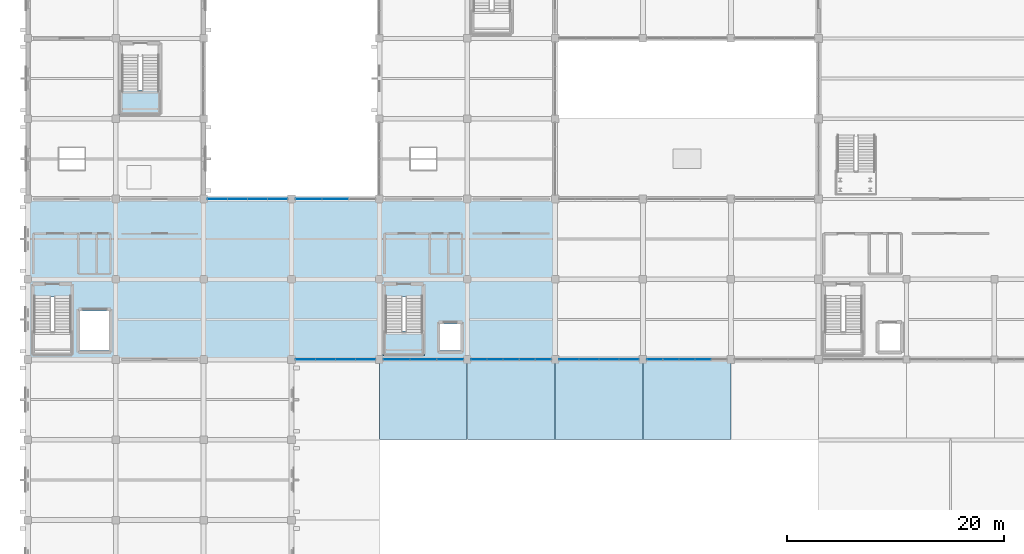
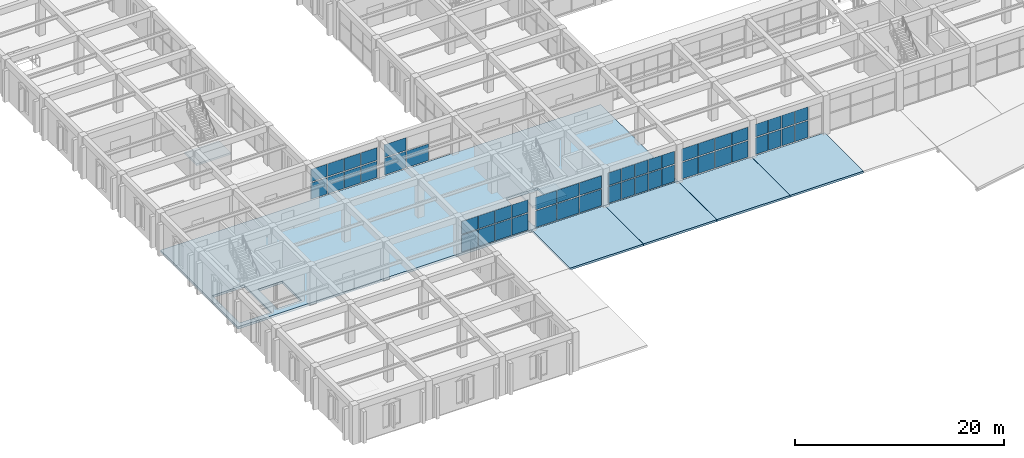
# One storey, part 130 of 161: 51 plates, 7 slabs, 9 elements without a shape of their own.
"""IFC4 building model written with IfcOpenShell, lengths in metres."""

from ifc_helpers import new_model, si_unit, direction, frame, origin, origin_2d, place, context, subcontext, project, spatial, polyline, rectangle, outline, extrude, material, layer, layer_set, type_object, element, aggregate, save


model = new_model("IFC4")

# Units and contexts
model_context = context("Model", 3, precision=1e-05, world=origin(), true_north=direction((0.0, 1.0)))
body_context = subcontext(model_context, "Body", "Model", "MODEL_VIEW")
ifc_project = project(units=[si_unit("LENGTHUNIT", "METRE"), si_unit("AREAUNIT", "SQUARE_METRE"), si_unit("VOLUMEUNIT", "CUBIC_METRE"), si_unit("PLANEANGLEUNIT", "RADIAN"), si_unit("MASSUNIT", "GRAM", prefix="KILO")], contexts=[model_context])

# Site, building, storey
site_placement = place(None, origin())
site = spatial("IfcSite", under=ifc_project, at=site_placement, CompositionType="ELEMENT")
building_placement = place(site_placement, origin())
building = spatial("IfcBuilding", under=site, at=building_placement, Name="Cimatlan Art Gallery", CompositionType="ELEMENT")
storey_placement = place(building_placement, frame((0.0, 0.0, 5.39990234375)))
storey = spatial("IfcBuildingStorey", under=building, at=storey_placement, Name="L01", CompositionType="ELEMENT", Elevation=5.39990234375)

# Curtain wall, plates
ifc_material_1 = material(Name="Anodised bronze unitised curtain wall")
curtain_wall_type_1 = type_object("IfcCurtainWallType", Name="CW-V-07392X03795-B5", PredefinedType="NOTDEFINED", material=ifc_material_1)
curtain_wall_1_placement = place(storey_placement, origin())
curtain_wall_1 = element("IfcCurtainWall", 1, at=curtain_wall_1_placement, inside=storey, type_object=curtain_wall_type_1, Name="CW-L01-05-03-S", PredefinedType="NOTDEFINED")
ifc_material_2 = material(Name="Low-E insulated double glazing", Category="glass")
ifc_layer_1 = layer(ifc_material_2, 0.028076171875)
ifc_layer_set_1 = layer_set([ifc_layer_1], Name="Low-E insulated double glazing")
plate_type_1 = type_object("IfcPlateType", Name="PNL-1420X1486", PredefinedType="CURTAIN_PANEL", material=ifc_layer_set_1)
plate_1_placement = place(storey_placement, frame((49.5068359375, 23.89990234375, 2.18701171875), z_axis=(0.0, 0.0, 1.0), x_axis=(-1.0, 0.0, 0.0)))
plate_1 = element("IfcPlate", 2, at=plate_1_placement, type_object=plate_type_1, Name="CW-L01-05-03-S-P12", PredefinedType="CURTAIN_PANEL", context=body_context, shape_type="SweptSolid", body=[
    extrude(rectangle(XDim=1.419921875, YDim=0.028076171875, at=origin_2d()), origin(), (0.0, 0.0, 1.0), 1.486083984375),
])
plate_2_placement = place(storey_placement, frame((48.0283203125, 23.89990234375, 2.18701171875), z_axis=(0.0, 0.0, 1.0), x_axis=(-1.0, 0.0, 0.0)))
plate_2 = element("IfcPlate", 3, at=plate_2_placement, type_object=plate_type_1, Name="CW-L01-05-03-S-P22", PredefinedType="CURTAIN_PANEL", context=body_context, shape_type="SweptSolid", body=[
    extrude(rectangle(XDim=1.419921875, YDim=0.028076171875, at=origin_2d()), origin(), (0.0, 0.0, 1.0), 1.486083984375),
])
plate_3_placement = place(storey_placement, frame((46.550048828125, 23.89990234375, 2.18701171875), z_axis=(0.0, 0.0, 1.0), x_axis=(-1.0, 0.0, 0.0)))
plate_3 = element("IfcPlate", 4, at=plate_3_placement, type_object=plate_type_1, Name="CW-L01-05-03-S-P32", PredefinedType="CURTAIN_PANEL", context=body_context, shape_type="SweptSolid", body=[
    extrude(rectangle(XDim=1.419921875, YDim=0.028076171875, at=origin_2d()), origin(), (0.0, 0.0, 1.0), 1.486083984375),
])
plate_4_placement = place(storey_placement, frame((45.071533203125, 23.89990234375, 2.18701171875), z_axis=(0.0, 0.0, 1.0), x_axis=(-1.0, 0.0, 0.0)))
plate_4 = element("IfcPlate", 5, at=plate_4_placement, type_object=plate_type_1, Name="CW-L01-05-03-S-P42", PredefinedType="CURTAIN_PANEL", context=body_context, shape_type="SweptSolid", body=[
    extrude(rectangle(XDim=1.419921875, YDim=0.028076171875, at=origin_2d()), origin(), (0.0, 0.0, 1.0), 1.486083984375),
])
plate_5_placement = place(storey_placement, frame((43.59326171875, 23.89990234375, 2.18701171875), z_axis=(0.0, 0.0, 1.0), x_axis=(-1.0, 0.0, 0.0)))
plate_5 = element("IfcPlate", 6, at=plate_5_placement, type_object=plate_type_1, Name="CW-L01-05-03-S-P52", PredefinedType="CURTAIN_PANEL", context=body_context, shape_type="SweptSolid", body=[
    extrude(rectangle(XDim=1.419921875, YDim=0.028076171875, at=origin_2d()), origin(), (0.0, 0.0, 1.0), 1.486083984375),
])

curtain_wall_2_placement = place(storey_placement, origin())
curtain_wall_2 = element("IfcCurtainWall", 7, at=curtain_wall_2_placement, inside=storey, type_object=curtain_wall_type_1, Name="CW-L01-07-03-S", PredefinedType="NOTDEFINED")
plate_6_placement = place(storey_placement, frame((64.228515625, 23.89990234375, 2.18701171875), z_axis=(0.0, 0.0, 1.0), x_axis=(-1.0, 0.0, 0.0)))
plate_6 = element("IfcPlate", 8, at=plate_6_placement, type_object=plate_type_1, Name="CW-L01-07-03-S-P22", PredefinedType="CURTAIN_PANEL", context=body_context, shape_type="SweptSolid", body=[
    extrude(rectangle(XDim=1.419921875, YDim=0.028076171875, at=origin_2d()), origin(), (0.0, 0.0, 1.0), 1.486083984375),
])
plate_7_placement = place(storey_placement, frame((62.75, 23.89990234375, 2.18701171875), z_axis=(0.0, 0.0, 1.0), x_axis=(-1.0, 0.0, 0.0)))
plate_7 = element("IfcPlate", 9, at=plate_7_placement, type_object=plate_type_1, Name="CW-L01-07-03-S-P32", PredefinedType="CURTAIN_PANEL", context=body_context, shape_type="SweptSolid", body=[
    extrude(rectangle(XDim=1.419921875, YDim=0.028076171875, at=origin_2d()), origin(), (0.0, 0.0, 1.0), 1.486083984375),
])
plate_8_placement = place(storey_placement, frame((61.271484375, 23.89990234375, 2.18701171875), z_axis=(0.0, 0.0, 1.0), x_axis=(-1.0, 0.0, 0.0)))
plate_8 = element("IfcPlate", 10, at=plate_8_placement, type_object=plate_type_1, Name="CW-L01-07-03-S-P42", PredefinedType="CURTAIN_PANEL", context=body_context, shape_type="SweptSolid", body=[
    extrude(rectangle(XDim=1.419921875, YDim=0.028076171875, at=origin_2d()), origin(), (0.0, 0.0, 1.0), 1.486083984375),
])
plate_9_placement = place(storey_placement, frame((59.793212890625, 23.89990234375, 2.18701171875), z_axis=(0.0, 0.0, 1.0), x_axis=(-1.0, 0.0, 0.0)))
plate_9 = element("IfcPlate", 11, at=plate_9_placement, type_object=plate_type_1, Name="CW-L01-07-03-S-P52", PredefinedType="CURTAIN_PANEL", context=body_context, shape_type="SweptSolid", body=[
    extrude(rectangle(XDim=1.419921875, YDim=0.028076171875, at=origin_2d()), origin(), (0.0, 0.0, 1.0), 1.486083984375),
])

# Plate
ifc_layer_2 = layer(ifc_material_2, 0.028076171875)
ifc_layer_set_2 = layer_set([ifc_layer_2], Name="Low-E insulated double glazing")
plate_type_2 = type_object("IfcPlateType", Name="PNL-1420X1941", PredefinedType="CURTAIN_PANEL", material=ifc_layer_set_2)
plate_10_placement = place(storey_placement, frame((49.5068359375, 23.89990234375, 0.122314453125), z_axis=(0.0, 0.0, 1.0), x_axis=(-1.0, 0.0, 0.0)))
plate_10 = element("IfcPlate", 12, at=plate_10_placement, type_object=plate_type_2, Name="CW-L01-05-03-S-P11", PredefinedType="CURTAIN_PANEL", context=body_context, shape_type="SweptSolid", body=[
    extrude(rectangle(XDim=1.419921875, YDim=0.028076171875, at=origin_2d()), origin(), (0.0, 0.0, 1.0), 1.94091796875),
])

plate_11_placement = place(storey_placement, frame((48.0283203125, 23.89990234375, 0.122314453125), z_axis=(0.0, 0.0, 1.0), x_axis=(-1.0, 0.0, 0.0)))
plate_11 = element("IfcPlate", 13, at=plate_11_placement, type_object=plate_type_2, Name="CW-L01-05-03-S-P21", PredefinedType="CURTAIN_PANEL", context=body_context, shape_type="SweptSolid", body=[
    extrude(rectangle(XDim=1.419921875, YDim=0.028076171875, at=origin_2d()), origin(), (0.0, 0.0, 1.0), 1.94091796875),
])

plate_12_placement = place(storey_placement, frame((46.550048828125, 23.89990234375, 0.122314453125), z_axis=(0.0, 0.0, 1.0), x_axis=(-1.0, 0.0, 0.0)))
plate_12 = element("IfcPlate", 14, at=plate_12_placement, type_object=plate_type_2, Name="CW-L01-05-03-S-P31", PredefinedType="CURTAIN_PANEL", context=body_context, shape_type="SweptSolid", body=[
    extrude(rectangle(XDim=1.419921875, YDim=0.028076171875, at=origin_2d()), origin(), (0.0, 0.0, 1.0), 1.94091796875),
])

plate_13_placement = place(storey_placement, frame((45.071533203125, 23.89990234375, 0.122314453125), z_axis=(0.0, 0.0, 1.0), x_axis=(-1.0, 0.0, 0.0)))
plate_13 = element("IfcPlate", 15, at=plate_13_placement, type_object=plate_type_2, Name="CW-L01-05-03-S-P41", PredefinedType="CURTAIN_PANEL", context=body_context, shape_type="SweptSolid", body=[
    extrude(rectangle(XDim=1.419921875, YDim=0.028076171875, at=origin_2d()), origin(), (0.0, 0.0, 1.0), 1.94091796875),
])

plate_14_placement = place(storey_placement, frame((43.59326171875, 23.89990234375, 0.122314453125), z_axis=(0.0, 0.0, 1.0), x_axis=(-1.0, 0.0, 0.0)))
plate_14 = element("IfcPlate", 16, at=plate_14_placement, type_object=plate_type_2, Name="CW-L01-05-03-S-P51", PredefinedType="CURTAIN_PANEL", context=body_context, shape_type="SweptSolid", body=[
    extrude(rectangle(XDim=1.419921875, YDim=0.028076171875, at=origin_2d()), origin(), (0.0, 0.0, 1.0), 1.94091796875),
])

aggregate(curtain_wall_1, [plate_10, plate_1, plate_11, plate_2, plate_12, plate_3, plate_13, plate_4, plate_14, plate_5])

plate_15_placement = place(storey_placement, frame((64.228515625, 23.89990234375, 0.122314453125), z_axis=(0.0, 0.0, 1.0), x_axis=(-1.0, 0.0, 0.0)))
plate_15 = element("IfcPlate", 17, at=plate_15_placement, type_object=plate_type_2, Name="CW-L01-07-03-S-P21", PredefinedType="CURTAIN_PANEL", context=body_context, shape_type="SweptSolid", body=[
    extrude(rectangle(XDim=1.419921875, YDim=0.028076171875, at=origin_2d()), origin(), (0.0, 0.0, 1.0), 1.94091796875),
])

plate_16_placement = place(storey_placement, frame((62.75, 23.89990234375, 0.122314453125), z_axis=(0.0, 0.0, 1.0), x_axis=(-1.0, 0.0, 0.0)))
plate_16 = element("IfcPlate", 18, at=plate_16_placement, type_object=plate_type_2, Name="CW-L01-07-03-S-P31", PredefinedType="CURTAIN_PANEL", context=body_context, shape_type="SweptSolid", body=[
    extrude(rectangle(XDim=1.419921875, YDim=0.028076171875, at=origin_2d()), origin(), (0.0, 0.0, 1.0), 1.94091796875),
])

plate_17_placement = place(storey_placement, frame((61.271484375, 23.89990234375, 0.122314453125), z_axis=(0.0, 0.0, 1.0), x_axis=(-1.0, 0.0, 0.0)))
plate_17 = element("IfcPlate", 19, at=plate_17_placement, type_object=plate_type_2, Name="CW-L01-07-03-S-P41", PredefinedType="CURTAIN_PANEL", context=body_context, shape_type="SweptSolid", body=[
    extrude(rectangle(XDim=1.419921875, YDim=0.028076171875, at=origin_2d()), origin(), (0.0, 0.0, 1.0), 1.94091796875),
])

plate_18_placement = place(storey_placement, frame((59.793212890625, 23.89990234375, 0.122314453125), z_axis=(0.0, 0.0, 1.0), x_axis=(-1.0, 0.0, 0.0)))
plate_18 = element("IfcPlate", 20, at=plate_18_placement, type_object=plate_type_2, Name="CW-L01-07-03-S-P51", PredefinedType="CURTAIN_PANEL", context=body_context, shape_type="SweptSolid", body=[
    extrude(rectangle(XDim=1.419921875, YDim=0.028076171875, at=origin_2d()), origin(), (0.0, 0.0, 1.0), 1.94091796875),
])

aggregate(curtain_wall_2, [plate_15, plate_6, plate_16, plate_7, plate_17, plate_8, plate_18, plate_9])

# Curtain wall, plates
curtain_wall_type_2 = type_object("IfcCurtainWallType", Name="CW-V-07392X03735-B4", PredefinedType="NOTDEFINED", material=ifc_material_1)
curtain_wall_3_placement = place(storey_placement, origin())
curtain_wall_3 = element("IfcCurtainWall", 21, at=curtain_wall_3_placement, inside=storey, type_object=curtain_wall_type_2, Name="CW-L01-02-04-N", PredefinedType="NOTDEFINED")
ifc_layer_3 = layer(ifc_material_2, 0.028076171875)
ifc_layer_set_3 = layer_set([ifc_layer_3], Name="Low-E insulated double glazing")
plate_type_3 = type_object("IfcPlateType", Name="PNL-1790X1459", PredefinedType="CURTAIN_PANEL", material=ifc_layer_set_3)
plate_19_placement = place(storey_placement, frame((19.47802734375, 38.699951171875, 2.15380859375), z_axis=(0.0, 0.0, 1.0), x_axis=(1.0, 0.0, 0.0)))
plate_19 = element("IfcPlate", 22, at=plate_19_placement, type_object=plate_type_3, Name="CW-L01-02-04-N-P12", PredefinedType="CURTAIN_PANEL", context=body_context, shape_type="SweptSolid", body=[
    extrude(rectangle(XDim=1.7900390625, YDim=0.028076171875, at=origin_2d()), origin(), (0.0, 0.0, 1.0), 1.458984375),
])
plate_20_placement = place(storey_placement, frame((21.325927734375, 38.699951171875, 2.15380859375), z_axis=(0.0, 0.0, 1.0), x_axis=(1.0, 0.0, 0.0)))
plate_20 = element("IfcPlate", 23, at=plate_20_placement, type_object=plate_type_3, Name="CW-L01-02-04-N-P22", PredefinedType="CURTAIN_PANEL", context=body_context, shape_type="SweptSolid", body=[
    extrude(rectangle(XDim=1.7900390625, YDim=0.028076171875, at=origin_2d()), origin(), (0.0, 0.0, 1.0), 1.458984375),
])
plate_21_placement = place(storey_placement, frame((23.174072265625, 38.699951171875, 2.15380859375), z_axis=(0.0, 0.0, 1.0), x_axis=(1.0, 0.0, 0.0)))
plate_21 = element("IfcPlate", 24, at=plate_21_placement, type_object=plate_type_3, Name="CW-L01-02-04-N-P32", PredefinedType="CURTAIN_PANEL", context=body_context, shape_type="SweptSolid", body=[
    extrude(rectangle(XDim=1.7900390625, YDim=0.028076171875, at=origin_2d()), origin(), (0.0, 0.0, 1.0), 1.458984375),
])
plate_22_placement = place(storey_placement, frame((25.02197265625, 38.699951171875, 2.15380859375), z_axis=(0.0, 0.0, 1.0), x_axis=(1.0, 0.0, 0.0)))
plate_22 = element("IfcPlate", 25, at=plate_22_placement, type_object=plate_type_3, Name="CW-L01-02-04-N-P42", PredefinedType="CURTAIN_PANEL", context=body_context, shape_type="SweptSolid", body=[
    extrude(rectangle(XDim=1.7900390625, YDim=0.028076171875, at=origin_2d()), origin(), (0.0, 0.0, 1.0), 1.458984375),
])

curtain_wall_type_3 = type_object("IfcCurtainWallType", Name="CW-V-07392X03750-B4", PredefinedType="NOTDEFINED", material=ifc_material_1)
curtain_wall_4_placement = place(storey_placement, origin())
curtain_wall_4 = element("IfcCurtainWall", 26, at=curtain_wall_4_placement, inside=storey, type_object=curtain_wall_type_3, Name="CW-L01-06-03-S", PredefinedType="NOTDEFINED")
ifc_layer_4 = layer(ifc_material_2, 0.028076171875)
ifc_layer_set_4 = layer_set([ifc_layer_4], Name="Low-E insulated double glazing")
plate_type_4 = type_object("IfcPlateType", Name="PNL-1790X1466", PredefinedType="CURTAIN_PANEL", material=ifc_layer_set_4)
plate_23_placement = place(storey_placement, frame((57.422119140625, 23.89990234375, 2.162109375), z_axis=(0.0, 0.0, 1.0), x_axis=(-1.0, 0.0, 0.0)))
plate_23 = element("IfcPlate", 27, at=plate_23_placement, type_object=plate_type_4, Name="CW-L01-06-03-S-P12", PredefinedType="CURTAIN_PANEL", context=body_context, shape_type="SweptSolid", body=[
    extrude(rectangle(XDim=1.7900390625, YDim=0.028076171875, at=origin_2d()), origin(), (0.0, 0.0, 1.0), 1.466064453125),
])
plate_24_placement = place(storey_placement, frame((55.573974609375, 23.89990234375, 2.162109375), z_axis=(0.0, 0.0, 1.0), x_axis=(-1.0, 0.0, 0.0)))
plate_24 = element("IfcPlate", 28, at=plate_24_placement, type_object=plate_type_4, Name="CW-L01-06-03-S-P22", PredefinedType="CURTAIN_PANEL", context=body_context, shape_type="SweptSolid", body=[
    extrude(rectangle(XDim=1.7900390625, YDim=0.028076171875, at=origin_2d()), origin(), (0.0, 0.0, 1.0), 1.466064453125),
])
plate_25_placement = place(storey_placement, frame((53.72607421875, 23.89990234375, 2.162109375), z_axis=(0.0, 0.0, 1.0), x_axis=(-1.0, 0.0, 0.0)))
plate_25 = element("IfcPlate", 29, at=plate_25_placement, type_object=plate_type_4, Name="CW-L01-06-03-S-P32", PredefinedType="CURTAIN_PANEL", context=body_context, shape_type="SweptSolid", body=[
    extrude(rectangle(XDim=1.7900390625, YDim=0.028076171875, at=origin_2d()), origin(), (0.0, 0.0, 1.0), 1.466064453125),
])
plate_26_placement = place(storey_placement, frame((51.8779296875, 23.89990234375, 2.162109375), z_axis=(0.0, 0.0, 1.0), x_axis=(-1.0, 0.0, 0.0)))
plate_26 = element("IfcPlate", 30, at=plate_26_placement, type_object=plate_type_4, Name="CW-L01-06-03-S-P42", PredefinedType="CURTAIN_PANEL", context=body_context, shape_type="SweptSolid", body=[
    extrude(rectangle(XDim=1.7900390625, YDim=0.028076171875, at=origin_2d()), origin(), (0.0, 0.0, 1.0), 1.466064453125),
])

curtain_wall_type_4 = type_object("IfcCurtainWallType", Name="CW-V-07392X03795-B4", PredefinedType="NOTDEFINED", material=ifc_material_1)
curtain_wall_5_placement = place(storey_placement, origin())
curtain_wall_5 = element("IfcCurtainWall", 31, at=curtain_wall_5_placement, inside=storey, type_object=curtain_wall_type_4, Name="CW-L01-03-03-S", PredefinedType="NOTDEFINED")
ifc_layer_5 = layer(ifc_material_2, 0.028076171875)
ifc_layer_set_5 = layer_set([ifc_layer_5], Name="Low-E insulated double glazing")
plate_type_5 = type_object("IfcPlateType", Name="PNL-1790X1486", PredefinedType="CURTAIN_PANEL", material=ifc_layer_set_5)
plate_27_placement = place(storey_placement, frame((33.1220703125, 23.89990234375, 2.18701171875), z_axis=(0.0, 0.0, 1.0), x_axis=(-1.0, 0.0, 0.0)))
plate_27 = element("IfcPlate", 32, at=plate_27_placement, type_object=plate_type_5, Name="CW-L01-03-03-S-P12", PredefinedType="CURTAIN_PANEL", context=body_context, shape_type="SweptSolid", body=[
    extrude(rectangle(XDim=1.7900390625, YDim=0.028076171875, at=origin_2d()), origin(), (0.0, 0.0, 1.0), 1.486083984375),
])
plate_28_placement = place(storey_placement, frame((31.27392578125, 23.89990234375, 2.18701171875), z_axis=(0.0, 0.0, 1.0), x_axis=(-1.0, 0.0, 0.0)))
plate_28 = element("IfcPlate", 33, at=plate_28_placement, type_object=plate_type_5, Name="CW-L01-03-03-S-P22", PredefinedType="CURTAIN_PANEL", context=body_context, shape_type="SweptSolid", body=[
    extrude(rectangle(XDim=1.7900390625, YDim=0.028076171875, at=origin_2d()), origin(), (0.0, 0.0, 1.0), 1.486083984375),
])
plate_29_placement = place(storey_placement, frame((29.426025390625, 23.89990234375, 2.18701171875), z_axis=(0.0, 0.0, 1.0), x_axis=(-1.0, 0.0, 0.0)))
plate_29 = element("IfcPlate", 34, at=plate_29_placement, type_object=plate_type_5, Name="CW-L01-03-03-S-P32", PredefinedType="CURTAIN_PANEL", context=body_context, shape_type="SweptSolid", body=[
    extrude(rectangle(XDim=1.7900390625, YDim=0.028076171875, at=origin_2d()), origin(), (0.0, 0.0, 1.0), 1.486083984375),
])
plate_30_placement = place(storey_placement, frame((27.577880859375, 23.89990234375, 2.18701171875), z_axis=(0.0, 0.0, 1.0), x_axis=(-1.0, 0.0, 0.0)))
plate_30 = element("IfcPlate", 35, at=plate_30_placement, type_object=plate_type_5, Name="CW-L01-03-03-S-P42", PredefinedType="CURTAIN_PANEL", context=body_context, shape_type="SweptSolid", body=[
    extrude(rectangle(XDim=1.7900390625, YDim=0.028076171875, at=origin_2d()), origin(), (0.0, 0.0, 1.0), 1.486083984375),
])

# Plate
ifc_layer_6 = layer(ifc_material_2, 0.028076171875)
ifc_layer_set_6 = layer_set([ifc_layer_6], Name="Low-E insulated double glazing")
plate_type_6 = type_object("IfcPlateType", Name="PNL-1790X1908", PredefinedType="CURTAIN_PANEL", material=ifc_layer_set_6)
plate_31_placement = place(storey_placement, frame((19.47802734375, 38.699951171875, 0.1220703125), z_axis=(0.0, 0.0, 1.0), x_axis=(1.0, 0.0, 0.0)))
plate_31 = element("IfcPlate", 36, at=plate_31_placement, type_object=plate_type_6, Name="CW-L01-02-04-N-P11", PredefinedType="CURTAIN_PANEL", context=body_context, shape_type="SweptSolid", body=[
    extrude(rectangle(XDim=1.7900390625, YDim=0.028076171875, at=origin_2d()), origin(), (0.0, 0.0, 1.0), 1.907958984375),
])

plate_32_placement = place(storey_placement, frame((21.325927734375, 38.699951171875, 0.1220703125), z_axis=(0.0, 0.0, 1.0), x_axis=(1.0, 0.0, 0.0)))
plate_32 = element("IfcPlate", 37, at=plate_32_placement, type_object=plate_type_6, Name="CW-L01-02-04-N-P21", PredefinedType="CURTAIN_PANEL", context=body_context, shape_type="SweptSolid", body=[
    extrude(rectangle(XDim=1.7900390625, YDim=0.028076171875, at=origin_2d()), origin(), (0.0, 0.0, 1.0), 1.907958984375),
])

plate_33_placement = place(storey_placement, frame((23.174072265625, 38.699951171875, 0.1220703125), z_axis=(0.0, 0.0, 1.0), x_axis=(1.0, 0.0, 0.0)))
plate_33 = element("IfcPlate", 38, at=plate_33_placement, type_object=plate_type_6, Name="CW-L01-02-04-N-P31", PredefinedType="CURTAIN_PANEL", context=body_context, shape_type="SweptSolid", body=[
    extrude(rectangle(XDim=1.7900390625, YDim=0.028076171875, at=origin_2d()), origin(), (0.0, 0.0, 1.0), 1.907958984375),
])

plate_34_placement = place(storey_placement, frame((25.02197265625, 38.699951171875, 0.1220703125), z_axis=(0.0, 0.0, 1.0), x_axis=(1.0, 0.0, 0.0)))
plate_34 = element("IfcPlate", 39, at=plate_34_placement, type_object=plate_type_6, Name="CW-L01-02-04-N-P41", PredefinedType="CURTAIN_PANEL", context=body_context, shape_type="SweptSolid", body=[
    extrude(rectangle(XDim=1.7900390625, YDim=0.028076171875, at=origin_2d()), origin(), (0.0, 0.0, 1.0), 1.907958984375),
])

aggregate(curtain_wall_3, [plate_31, plate_19, plate_32, plate_20, plate_33, plate_21, plate_34, plate_22])

ifc_layer_7 = layer(ifc_material_2, 0.028076171875)
ifc_layer_set_7 = layer_set([ifc_layer_7], Name="Low-E insulated double glazing")
plate_type_7 = type_object("IfcPlateType", Name="PNL-1790X1916", PredefinedType="CURTAIN_PANEL", material=ifc_layer_set_7)
plate_35_placement = place(storey_placement, frame((57.422119140625, 23.89990234375, 0.1220703125), z_axis=(0.0, 0.0, 1.0), x_axis=(-1.0, 0.0, 0.0)))
plate_35 = element("IfcPlate", 40, at=plate_35_placement, type_object=plate_type_7, Name="CW-L01-06-03-S-P11", PredefinedType="CURTAIN_PANEL", context=body_context, shape_type="SweptSolid", body=[
    extrude(rectangle(XDim=1.7900390625, YDim=0.028076171875, at=origin_2d()), origin(), (0.0, 0.0, 1.0), 1.916015625),
])

plate_36_placement = place(storey_placement, frame((55.573974609375, 23.89990234375, 0.1220703125), z_axis=(0.0, 0.0, 1.0), x_axis=(-1.0, 0.0, 0.0)))
plate_36 = element("IfcPlate", 41, at=plate_36_placement, type_object=plate_type_7, Name="CW-L01-06-03-S-P21", PredefinedType="CURTAIN_PANEL", context=body_context, shape_type="SweptSolid", body=[
    extrude(rectangle(XDim=1.7900390625, YDim=0.028076171875, at=origin_2d()), origin(), (0.0, 0.0, 1.0), 1.916015625),
])

plate_37_placement = place(storey_placement, frame((53.72607421875, 23.89990234375, 0.1220703125), z_axis=(0.0, 0.0, 1.0), x_axis=(-1.0, 0.0, 0.0)))
plate_37 = element("IfcPlate", 42, at=plate_37_placement, type_object=plate_type_7, Name="CW-L01-06-03-S-P31", PredefinedType="CURTAIN_PANEL", context=body_context, shape_type="SweptSolid", body=[
    extrude(rectangle(XDim=1.7900390625, YDim=0.028076171875, at=origin_2d()), origin(), (0.0, 0.0, 1.0), 1.916015625),
])

plate_38_placement = place(storey_placement, frame((51.8779296875, 23.89990234375, 0.1220703125), z_axis=(0.0, 0.0, 1.0), x_axis=(-1.0, 0.0, 0.0)))
plate_38 = element("IfcPlate", 43, at=plate_38_placement, type_object=plate_type_7, Name="CW-L01-06-03-S-P41", PredefinedType="CURTAIN_PANEL", context=body_context, shape_type="SweptSolid", body=[
    extrude(rectangle(XDim=1.7900390625, YDim=0.028076171875, at=origin_2d()), origin(), (0.0, 0.0, 1.0), 1.916015625),
])

aggregate(curtain_wall_4, [plate_35, plate_23, plate_36, plate_24, plate_37, plate_25, plate_38, plate_26])

ifc_layer_8 = layer(ifc_material_2, 0.028076171875)
ifc_layer_set_8 = layer_set([ifc_layer_8], Name="Low-E insulated double glazing")
plate_type_8 = type_object("IfcPlateType", Name="PNL-1790X1941", PredefinedType="CURTAIN_PANEL", material=ifc_layer_set_8)
plate_39_placement = place(storey_placement, frame((33.1220703125, 23.89990234375, 0.122314453125), z_axis=(0.0, 0.0, 1.0), x_axis=(-1.0, 0.0, 0.0)))
plate_39 = element("IfcPlate", 44, at=plate_39_placement, type_object=plate_type_8, Name="CW-L01-03-03-S-P11", PredefinedType="CURTAIN_PANEL", context=body_context, shape_type="SweptSolid", body=[
    extrude(rectangle(XDim=1.7900390625, YDim=0.028076171875, at=origin_2d()), origin(), (0.0, 0.0, 1.0), 1.94091796875),
])

plate_40_placement = place(storey_placement, frame((31.27392578125, 23.89990234375, 0.122314453125), z_axis=(0.0, 0.0, 1.0), x_axis=(-1.0, 0.0, 0.0)))
plate_40 = element("IfcPlate", 45, at=plate_40_placement, type_object=plate_type_8, Name="CW-L01-03-03-S-P21", PredefinedType="CURTAIN_PANEL", context=body_context, shape_type="SweptSolid", body=[
    extrude(rectangle(XDim=1.7900390625, YDim=0.028076171875, at=origin_2d()), origin(), (0.0, 0.0, 1.0), 1.94091796875),
])

plate_41_placement = place(storey_placement, frame((29.426025390625, 23.89990234375, 0.122314453125), z_axis=(0.0, 0.0, 1.0), x_axis=(-1.0, 0.0, 0.0)))
plate_41 = element("IfcPlate", 46, at=plate_41_placement, type_object=plate_type_8, Name="CW-L01-03-03-S-P31", PredefinedType="CURTAIN_PANEL", context=body_context, shape_type="SweptSolid", body=[
    extrude(rectangle(XDim=1.7900390625, YDim=0.028076171875, at=origin_2d()), origin(), (0.0, 0.0, 1.0), 1.94091796875),
])

plate_42_placement = place(storey_placement, frame((27.577880859375, 23.89990234375, 0.122314453125), z_axis=(0.0, 0.0, 1.0), x_axis=(-1.0, 0.0, 0.0)))
plate_42 = element("IfcPlate", 47, at=plate_42_placement, type_object=plate_type_8, Name="CW-L01-03-03-S-P41", PredefinedType="CURTAIN_PANEL", context=body_context, shape_type="SweptSolid", body=[
    extrude(rectangle(XDim=1.7900390625, YDim=0.028076171875, at=origin_2d()), origin(), (0.0, 0.0, 1.0), 1.94091796875),
])

aggregate(curtain_wall_5, [plate_39, plate_27, plate_40, plate_28, plate_41, plate_29, plate_42, plate_30])

# Curtain wall, plates
curtain_wall_type_5 = type_object("IfcCurtainWallType", Name="CW-V-07392X03750-B3", PredefinedType="NOTDEFINED", material=ifc_material_1)
curtain_wall_6_placement = place(storey_placement, origin())
curtain_wall_6 = element("IfcCurtainWall", 48, at=curtain_wall_6_placement, inside=storey, type_object=curtain_wall_type_5, Name="CW-L01-04-03-S", PredefinedType="NOTDEFINED")
ifc_layer_9 = layer(ifc_material_2, 0.028076171875)
ifc_layer_set_9 = layer_set([ifc_layer_9], Name="Low-E insulated double glazing")
plate_type_9 = type_object("IfcPlateType", Name="PNL-2406X1466", PredefinedType="CURTAIN_PANEL", material=ifc_layer_set_9)
plate_43_placement = place(storey_placement, frame((40.9140625, 23.89990234375, 2.162109375), z_axis=(0.0, 0.0, 1.0), x_axis=(-1.0, 0.0, 0.0)))
plate_43 = element("IfcPlate", 49, at=plate_43_placement, type_object=plate_type_9, Name="CW-L01-04-03-S-P12", PredefinedType="CURTAIN_PANEL", context=body_context, shape_type="SweptSolid", body=[
    extrude(rectangle(XDim=2.406005859375, YDim=0.028076171875, at=origin_2d()), origin(), (0.0, 0.0, 1.0), 1.466064453125),
])
plate_44_placement = place(storey_placement, frame((38.449951171875, 23.89990234375, 2.162109375), z_axis=(0.0, 0.0, 1.0), x_axis=(-1.0, 0.0, 0.0)))
plate_44 = element("IfcPlate", 50, at=plate_44_placement, type_object=plate_type_9, Name="CW-L01-04-03-S-P22", PredefinedType="CURTAIN_PANEL", context=body_context, shape_type="SweptSolid", body=[
    extrude(rectangle(XDim=2.406005859375, YDim=0.028076171875, at=origin_2d()), origin(), (0.0, 0.0, 1.0), 1.466064453125),
])
plate_45_placement = place(storey_placement, frame((35.986083984375, 23.89990234375, 2.162109375), z_axis=(0.0, 0.0, 1.0), x_axis=(-1.0, 0.0, 0.0)))
plate_45 = element("IfcPlate", 51, at=plate_45_placement, type_object=plate_type_9, Name="CW-L01-04-03-S-P32", PredefinedType="CURTAIN_PANEL", context=body_context, shape_type="SweptSolid", body=[
    extrude(rectangle(XDim=2.406005859375, YDim=0.028076171875, at=origin_2d()), origin(), (0.0, 0.0, 1.0), 1.466064453125),
])

# Curtain wall, plate
curtain_wall_type_6 = type_object("IfcCurtainWallType", Name="CW-V-07392X03780-B3", PredefinedType="NOTDEFINED", material=ifc_material_1)
curtain_wall_7_placement = place(storey_placement, origin())
curtain_wall_7 = element("IfcCurtainWall", 52, at=curtain_wall_7_placement, inside=storey, type_object=curtain_wall_type_6, Name="CW-L01-03-04-N", PredefinedType="NOTDEFINED")
ifc_layer_10 = layer(ifc_material_2, 0.028076171875)
ifc_layer_set_10 = layer_set([ifc_layer_10], Name="Low-E insulated double glazing")
plate_type_10 = type_object("IfcPlateType", Name="PNL-2406X1479", PredefinedType="CURTAIN_PANEL", material=ifc_layer_set_10)
plate_46_placement = place(storey_placement, frame((27.885986328125, 38.699951171875, 2.178955078125), z_axis=(0.0, 0.0, 1.0), x_axis=(1.0, 0.0, 0.0)))
plate_46 = element("IfcPlate", 53, at=plate_46_placement, type_object=plate_type_10, Name="CW-L01-03-04-N-P12", PredefinedType="CURTAIN_PANEL", context=body_context, shape_type="SweptSolid", body=[
    extrude(rectangle(XDim=2.406005859375, YDim=0.028076171875, at=origin_2d()), origin(), (0.0, 0.0, 1.0), 1.47900390625),
])

# Plate
ifc_layer_11 = layer(ifc_material_2, 0.028076171875)
ifc_layer_set_11 = layer_set([ifc_layer_11], Name="Low-E insulated double glazing")
plate_type_11 = type_object("IfcPlateType", Name="PNL-2406X1916", PredefinedType="CURTAIN_PANEL", material=ifc_layer_set_11)
plate_47_placement = place(storey_placement, frame((40.9140625, 23.89990234375, 0.1220703125), z_axis=(0.0, 0.0, 1.0), x_axis=(-1.0, 0.0, 0.0)))
plate_47 = element("IfcPlate", 54, at=plate_47_placement, type_object=plate_type_11, Name="CW-L01-04-03-S-P11", PredefinedType="CURTAIN_PANEL", context=body_context, shape_type="SweptSolid", body=[
    extrude(rectangle(XDim=2.406005859375, YDim=0.028076171875, at=origin_2d()), origin(), (0.0, 0.0, 1.0), 1.916015625),
])

plate_48_placement = place(storey_placement, frame((38.449951171875, 23.89990234375, 0.1220703125), z_axis=(0.0, 0.0, 1.0), x_axis=(-1.0, 0.0, 0.0)))
plate_48 = element("IfcPlate", 55, at=plate_48_placement, type_object=plate_type_11, Name="CW-L01-04-03-S-P21", PredefinedType="CURTAIN_PANEL", context=body_context, shape_type="SweptSolid", body=[
    extrude(rectangle(XDim=2.406005859375, YDim=0.028076171875, at=origin_2d()), origin(), (0.0, 0.0, 1.0), 1.916015625),
])

plate_49_placement = place(storey_placement, frame((35.986083984375, 23.89990234375, 0.1220703125), z_axis=(0.0, 0.0, 1.0), x_axis=(-1.0, 0.0, 0.0)))
plate_49 = element("IfcPlate", 56, at=plate_49_placement, type_object=plate_type_11, Name="CW-L01-04-03-S-P31", PredefinedType="CURTAIN_PANEL", context=body_context, shape_type="SweptSolid", body=[
    extrude(rectangle(XDim=2.406005859375, YDim=0.028076171875, at=origin_2d()), origin(), (0.0, 0.0, 1.0), 1.916015625),
])

aggregate(curtain_wall_6, [plate_47, plate_43, plate_48, plate_44, plate_49, plate_45])

ifc_layer_12 = layer(ifc_material_2, 0.028076171875)
ifc_layer_set_12 = layer_set([ifc_layer_12], Name="Low-E insulated double glazing")
plate_type_12 = type_object("IfcPlateType", Name="PNL-2406X1933", PredefinedType="CURTAIN_PANEL", material=ifc_layer_set_12)
plate_50_placement = place(storey_placement, frame((27.885986328125, 38.699951171875, 0.121826171875), z_axis=(0.0, 0.0, 1.0), x_axis=(1.0, 0.0, 0.0)))
plate_50 = element("IfcPlate", 57, at=plate_50_placement, type_object=plate_type_12, Name="CW-L01-03-04-N-P11", PredefinedType="CURTAIN_PANEL", context=body_context, shape_type="SweptSolid", body=[
    extrude(rectangle(XDim=2.406005859375, YDim=0.028076171875, at=origin_2d()), origin(), (0.0, 0.0, 1.0), 1.93310546875),
])

plate_51_placement = place(storey_placement, frame((30.35009765625, 38.699951171875, 0.121826171875), z_axis=(0.0, 0.0, 1.0), x_axis=(1.0, 0.0, 0.0)))
plate_51 = element("IfcPlate", 58, at=plate_51_placement, type_object=plate_type_12, Name="CW-L01-03-04-N-P21", PredefinedType="CURTAIN_PANEL", context=body_context, shape_type="SweptSolid", body=[
    extrude(rectangle(XDim=2.406005859375, YDim=0.028076171875, at=origin_2d()), origin(), (0.0, 0.0, 1.0), 1.93310546875),
])

aggregate(curtain_wall_7, [plate_50, plate_46, plate_51])

# Slabs
ifc_material_3 = material(Name="Concrete C35/45", Category="concrete")
ifc_layer_13 = layer(ifc_material_3, 0.264892578125)
ifc_layer_set_13 = layer_set([ifc_layer_13], Name="Concrete C35/45")
slab_type_1 = type_object("IfcSlabType", Name="SLB-FLR-L01", PredefinedType="FLOOR", material=ifc_layer_set_13)
slab_1_placement = place(storey_placement, frame((0.0, 0.0, -0.264892578125)))
element("IfcSlab", 59, at=slab_1_placement, inside=storey, type_object=slab_type_1, Name="SLB-L01-SPW", PredefinedType="FLOOR", context=body_context, shape_type="SweptSolid", body=[
    extrude(outline(polyline([(2.0, 23.89990234375), (50.60009765625, 23.89990234375), (50.60009765625, 38.699951171875), (2.0, 38.699951171875), (2.0, 23.89990234375)]), holes=[polyline([(2.5, 24.419921875), (6.02001953125, 24.419921875), (6.02001953125, 29.64990234375), (2.5, 29.64990234375), (2.5, 24.419921875)]), polyline([(6.81005859375, 24.7099609375), (9.489990234375, 24.7099609375), (9.489990234375, 28.389892578125), (6.81005859375, 28.389892578125), (6.81005859375, 24.7099609375)]), polyline([(34.89990234375, 24.419921875), (38.419921875, 24.419921875), (38.419921875, 29.64990234375), (34.89990234375, 29.64990234375), (34.89990234375, 24.419921875)]), polyline([(40.010009765625, 24.7099609375), (41.889892578125, 24.7099609375), (41.889892578125, 27.18994140625), (40.010009765625, 27.18994140625), (40.010009765625, 24.7099609375)])]), origin(), (0.0, 0.0, 1.0), 0.264892578125),
])
ifc_layer_14 = layer(ifc_material_3, 0.239990234375)
ifc_layer_set_14 = layer_set([ifc_layer_14], Name="Concrete C35/45")
slab_type_2 = type_object("IfcSlabType", Name="SLB-ROOF-CAN-185", PredefinedType="ROOF", material=ifc_layer_set_14)
slab_2_placement = place(storey_placement, frame((0.0, 0.0, -0.239990234375)))
element("IfcSlab", 60, at=slab_2_placement, inside=storey, type_object=slab_type_2, Name="SLB-COL-RF-07", PredefinedType="ROOF", context=body_context, shape_type="SweptSolid", body=[
    extrude(outline(polyline([(34.405029296875, 16.5048828125), (42.4951171875, 16.5048828125), (42.4951171875, 23.89501953125), (34.405029296875, 23.89501953125), (34.405029296875, 16.5048828125)])), origin(), (0.0, 0.0, 1.0), 0.239990234375),
])
slab_3_placement = place(storey_placement, frame((0.0, 0.0, -0.239990234375)))
element("IfcSlab", 61, at=slab_3_placement, inside=storey, type_object=slab_type_2, Name="SLB-COL-RF-08", PredefinedType="ROOF", context=body_context, shape_type="SweptSolid", body=[
    extrude(outline(polyline([(42.5048828125, 16.5048828125), (50.594970703125, 16.5048828125), (50.594970703125, 23.89501953125), (42.5048828125, 23.89501953125), (42.5048828125, 16.5048828125)])), origin(), (0.0, 0.0, 1.0), 0.239990234375),
])
slab_4_placement = place(storey_placement, frame((0.0, 0.0, -0.239990234375)))
element("IfcSlab", 62, at=slab_4_placement, inside=storey, type_object=slab_type_2, Name="SLB-COL-RF-09", PredefinedType="ROOF", context=body_context, shape_type="SweptSolid", body=[
    extrude(outline(polyline([(50.60498046875, 16.5048828125), (58.695068359375, 16.5048828125), (58.695068359375, 23.89501953125), (50.60498046875, 23.89501953125), (50.60498046875, 16.5048828125)])), origin(), (0.0, 0.0, 1.0), 0.239990234375),
])
slab_5_placement = place(storey_placement, frame((0.0, 0.0, -0.239990234375)))
element("IfcSlab", 63, at=slab_5_placement, inside=storey, type_object=slab_type_2, Name="SLB-COL-RF-10", PredefinedType="ROOF", context=body_context, shape_type="SweptSolid", body=[
    extrude(outline(polyline([(58.705078125, 16.5048828125), (66.794921875, 16.5048828125), (66.794921875, 23.89501953125), (58.705078125, 23.89501953125), (58.705078125, 16.5048828125)])), origin(), (0.0, 0.0, 1.0), 0.239990234375),
])

# Stair, slab
stair_type = type_object("IfcStairType", Name="STR-HALF-155-480", PredefinedType="HALF_TURN_STAIR", material=ifc_material_3)
stair_1_placement = place(storey_placement, origin())
stair_1 = element("IfcStair", 64, at=stair_1_placement, inside=storey, type_object=stair_type, Name="STR-C2-L01", PredefinedType="HALF_TURN_STAIR")
ifc_layer_15 = layer(ifc_material_3, 0.219970703125)
ifc_layer_set_15 = layer_set([ifc_layer_15], Name="Concrete C35/45")
slab_type_3 = type_object("IfcSlabType", Name="SLB-STAIR-LAND-220", PredefinedType="LANDING", material=ifc_layer_set_15)
slab_6_placement = place(storey_placement, frame((0.0, 0.0, 2.18017578125)))
slab_6 = element("IfcSlab", 65, at=slab_6_placement, type_object=slab_type_3, Name="STR-C2-L01-LND", PredefinedType="LANDING", context=body_context, shape_type="SweptSolid", body=[
    extrude(outline(polyline([(34.75, 24.25), (38.5400390625, 24.25), (38.5400390625, 26.550048828125), (34.75, 26.550048828125), (34.75, 24.25)])), origin(), (0.0, 0.0, 1.0), 0.219970703125),
])
aggregate(stair_1, [slab_6])

stair_2_placement = place(storey_placement, origin())
stair_2 = element("IfcStair", 66, at=stair_2_placement, inside=storey, type_object=stair_type, Name="STR-C7-L01", PredefinedType="HALF_TURN_STAIR")
slab_7_placement = place(storey_placement, frame((0.0, 0.0, 2.18017578125)))
slab_7 = element("IfcSlab", 67, at=slab_7_placement, type_object=slab_type_3, Name="STR-C7-L01-LND", PredefinedType="LANDING", context=body_context, shape_type="SweptSolid", body=[
    extrude(outline(polyline([(10.449951171875, 46.449951171875), (14.239990234375, 46.449951171875), (14.239990234375, 48.75), (10.449951171875, 48.75), (10.449951171875, 46.449951171875)])), origin(), (0.0, 0.0, 1.0), 0.219970703125),
])
aggregate(stair_2, [slab_7])

save(model, "model.ifc")
